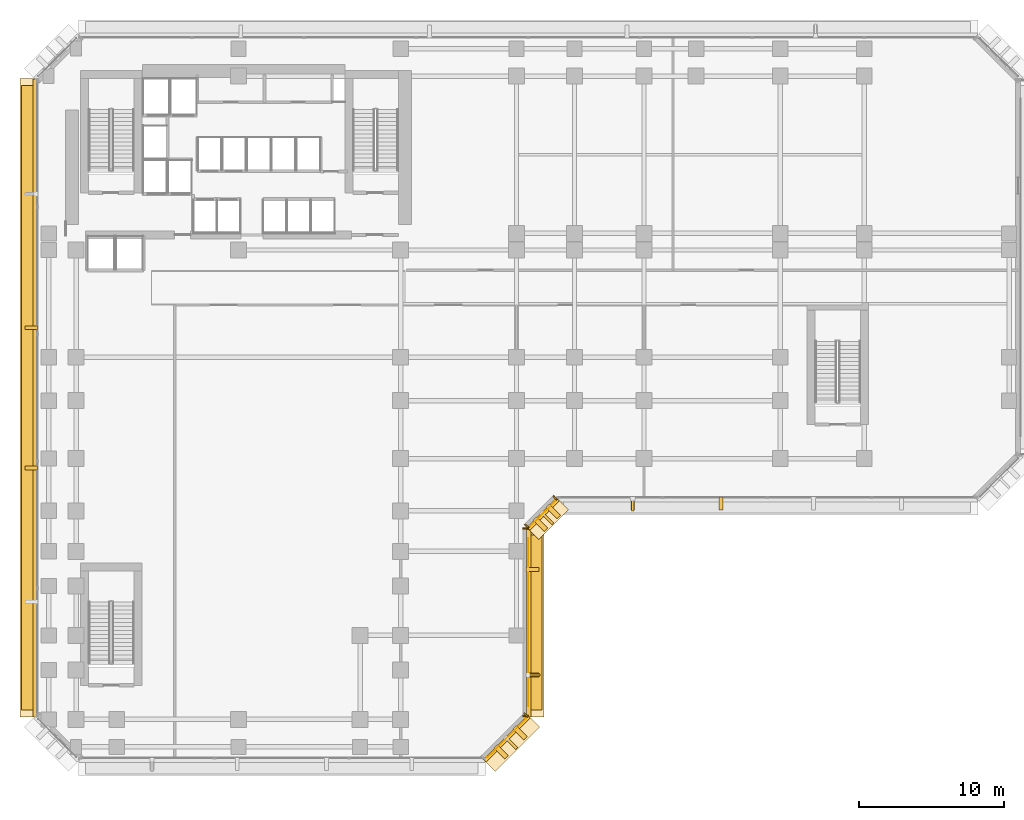
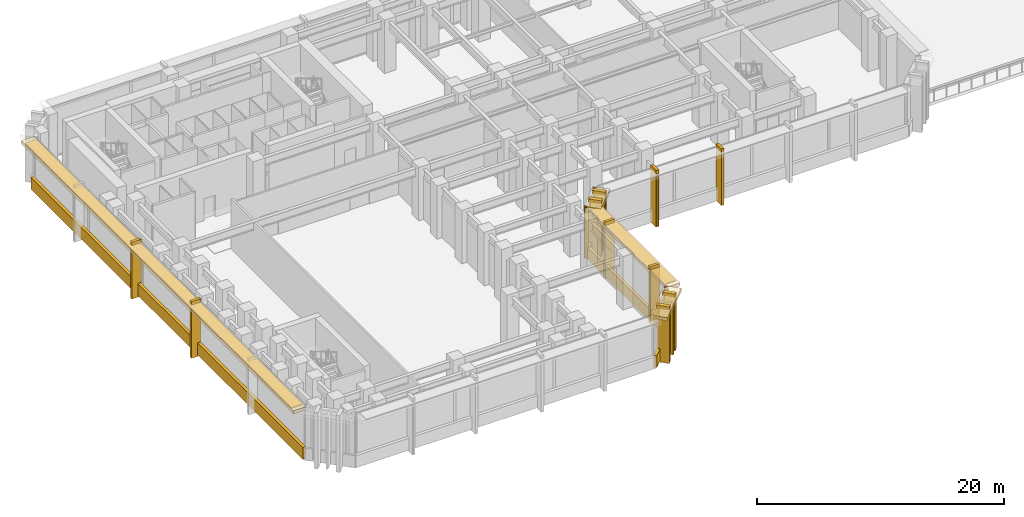
# One storey, part 11 of 16: 26 coverings, 6 shading devices.
"""IFC4 building model written with IfcOpenShell, lengths in metres."""

from ifc_helpers import new_model, si_unit, direction, frame, origin, origin_2d, place, context, subcontext, project, spatial, rectangle, extrude, material, layer, layer_set, material_profile, profile_set, type_object, element, save


model = new_model("IFC4")

# Units and contexts
model_context = context("Model", 3, precision=1e-05, world=origin(), true_north=direction((0.0, 1.0)))
body_context = subcontext(model_context, "Body", "Model", "MODEL_VIEW")
ifc_project = project(units=[si_unit("LENGTHUNIT", "METRE"), si_unit("AREAUNIT", "SQUARE_METRE"), si_unit("VOLUMEUNIT", "CUBIC_METRE"), si_unit("PLANEANGLEUNIT", "RADIAN"), si_unit("MASSUNIT", "GRAM", prefix="KILO")], contexts=[model_context])

# Site, building, storey
site_placement = place(None, origin())
site = spatial("IfcSite", under=ifc_project, at=site_placement, CompositionType="ELEMENT")
building_placement = place(site_placement, origin())
building = spatial("IfcBuilding", under=site, at=building_placement, Name="Kefirva Bronze Tower", CompositionType="ELEMENT")
storey_placement = place(building_placement, frame((0.0, 0.0, 11.219970703125)))
storey = spatial("IfcBuildingStorey", under=building, at=storey_placement, Name="L02", CompositionType="ELEMENT", Elevation=11.219970703125)

# Coverings
ifc_material = material(Name="Bronze anodised aluminium", Category="aluminium")
ifc_layer_1 = layer(ifc_material, 0.02001953125, Name="Bronze anodised aluminium")
ifc_layer_set_1 = layer_set([ifc_layer_1], Name="Bronze anodised aluminium")
covering_type_1 = type_object("IfcCoveringType", Name="Anodised Bronze Spandrel Cladding 20mm", PredefinedType="CLADDING", material=ifc_layer_set_1)
covering_1_placement = place(storey_placement, frame((30.507080078125, -0.507080078125, 4.5400390625), z_axis=(0.0, 0.0, 1.0), x_axis=(0.707106781187, 0.707106781187, 0.0)))
element("IfcCovering", 1, at=covering_1_placement, inside=storey, type_object=covering_type_1, Name="L02 Bronze Spandrel Cladding 1", PredefinedType="CLADDING", context=body_context, shape_type="SweptSolid", body=[
    extrude(rectangle(XDim=3.719482421875, YDim=0.02001953125, at=origin_2d()), origin(), (0.0, 0.0, 1.0), 0.39990234375),
])
covering_2_placement = place(storey_placement, frame((31.847900390625, 1.1025390625, 0.0), z_axis=(0.0, 0.0, 1.0), x_axis=(0.707106781187, 0.707106781187, 0.0)))
element("IfcCovering", 2, at=covering_2_placement, inside=storey, type_object=covering_type_1, Name="L02 Facade Joint Closure Panel 1E", PredefinedType="CLADDING", context=body_context, shape_type="SweptSolid", body=[
    extrude(rectangle(XDim=0.10009765625, YDim=0.360107421875, at=origin_2d()), origin(), (0.0, 0.0, 1.0), 4.9599609375),
])
covering_3_placement = place(storey_placement, frame((30.5283203125, -0.5283203125, -0.16015625), z_axis=(0.0, 0.0, 1.0), x_axis=(0.707106781187, 0.707106781187, 0.0)))
element("IfcCovering", 3, at=covering_3_placement, inside=storey, type_object=covering_type_1, Name="L02 Streamline Horizontal Spandrel Band 1", PredefinedType="CLADDING", context=body_context, shape_type="SweptSolid", body=[
    extrude(rectangle(XDim=4.28271484375, YDim=0.280029296875, at=origin_2d()), origin(), (0.0, 0.0, 1.0), 1.179931640625),
])
covering_4_placement = place(storey_placement, frame((32.010009765625, 7.5, 4.5400390625), z_axis=(0.0, 0.0, 1.0), x_axis=(0.0, 1.0, 0.0)))
element("IfcCovering", 4, at=covering_4_placement, inside=storey, type_object=covering_type_1, Name="L02 Bronze Spandrel Cladding 2", PredefinedType="CLADDING", context=body_context, shape_type="SweptSolid", body=[
    extrude(rectangle(XDim=11.60107421875, YDim=0.02001953125, at=origin_2d()), origin(), (0.0, 0.0, 1.0), 0.39990234375),
])
for number, where, z_axis, x_axis, name in (
    (5, (31.820068359375, 1.034912109375, 0.0), (0.0, 0.0, 1.0), (0.0, 1.0, 0.0), "L02 Facade Joint Closure Panel 2S"),
    (6, (31.820068359375, 13.965087890625, 0.0), (0.0, 0.0, 1.0), (0.0, 1.0, 0.0), "L02 Facade Joint Closure Panel 2E"),
):
    element("IfcCovering", number, at=place(storey_placement, frame(where, z_axis=z_axis, x_axis=x_axis)), inside=storey, type_object=covering_type_1, Name=name, PredefinedType="CLADDING", context=body_context, shape_type="SweptSolid", body=[
        extrude(rectangle(XDim=0.10009765625, YDim=0.360107421875, at=origin_2d()), origin(), (0.0, 0.0, 1.0), 4.9599609375),
    ])
covering_5_placement = place(storey_placement, frame((32.0400390625, 7.5, -0.16015625), z_axis=(0.0, 0.0, 1.0), x_axis=(0.0, 1.0, 0.0)))
element("IfcCovering", 7, at=covering_5_placement, inside=storey, type_object=covering_type_1, Name="L02 Streamline Horizontal Spandrel Band 2", PredefinedType="CLADDING", context=body_context, shape_type="SweptSolid", body=[
    extrude(rectangle(XDim=13.0400390625, YDim=0.280029296875, at=origin_2d()), origin(), (0.0, 0.0, 1.0), 1.179931640625),
])
covering_6_placement = place(storey_placement, frame((33.007080078125, 14.992919921875, 4.5400390625), z_axis=(0.0, 0.0, 1.0), x_axis=(0.707106781187, 0.707106781187, 0.0)))
element("IfcCovering", 8, at=covering_6_placement, inside=storey, type_object=covering_type_1, Name="L02 Bronze Spandrel Cladding 3", PredefinedType="CLADDING", context=body_context, shape_type="SweptSolid", body=[
    extrude(rectangle(XDim=2.446533203125, YDim=0.02001953125, at=origin_2d()), origin(), (0.0, 0.0, 1.0), 0.39990234375),
])
for number, where, z_axis, x_axis, name in (
    (9, (31.8974609375, 14.152099609375, 0.0), (0.0, 0.0, 1.0), (0.707106781187, 0.707106781187, 0.0), "L02 Facade Joint Closure Panel 3S"),
    (10, (33.847900390625, 16.1025390625, 0.0), (0.0, 0.0, 1.0), (0.707106781187, 0.707106781187, 0.0), "L02 Facade Joint Closure Panel 3E"),
):
    element("IfcCovering", number, at=place(storey_placement, frame(where, z_axis=z_axis, x_axis=x_axis)), inside=storey, type_object=covering_type_1, Name=name, PredefinedType="CLADDING", context=body_context, shape_type="SweptSolid", body=[
        extrude(rectangle(XDim=0.10009765625, YDim=0.360107421875, at=origin_2d()), origin(), (0.0, 0.0, 1.0), 4.9599609375),
    ])
covering_7_placement = place(storey_placement, frame((33.0283203125, 14.9716796875, -0.16015625), z_axis=(0.0, 0.0, 1.0), x_axis=(0.707106781187, 0.707106781187, 0.0)))
element("IfcCovering", 11, at=covering_7_placement, inside=storey, type_object=covering_type_1, Name="L02 Streamline Horizontal Spandrel Band 3", PredefinedType="CLADDING", context=body_context, shape_type="SweptSolid", body=[
    extrude(rectangle(XDim=2.868408203125, YDim=0.280029296875, at=origin_2d()), origin(), (0.0, 0.0, 1.0), 1.179931640625),
])
covering_8_placement = place(storey_placement, frame((-2.0400390625, 23.0, -0.16015625), z_axis=(0.0, 0.0, 1.0), x_axis=(0.0, -1.0, 0.0)))
element("IfcCovering", 12, at=covering_8_placement, inside=storey, type_object=covering_type_1, Name="L02 Streamline Horizontal Spandrel Band 10", PredefinedType="CLADDING", context=body_context, shape_type="SweptSolid", body=[
    extrude(rectangle(XDim=44.0400390625, YDim=0.280029296875, at=origin_2d()), origin(), (0.0, 0.0, 1.0), 1.179931640625),
])

# Shading devices
ifc_material_profile_1 = material_profile(ifc_material, rectangle(XDim=0.179931640625, YDim=1.080078125, at=origin_2d()), Name="BRONZE BUTTRESS FIN 180x1080")
ifc_profile_set_1 = profile_set([ifc_material_profile_1], Name="Bronze anodised aluminium")
shading_device_type_1 = type_object("IfcShadingDeviceType", Name="Chamfered Corner Buttress Bronze Fin 1080mm", PredefinedType="USERDEFINED", material=ifc_profile_set_1)
for number, where, z_axis, x_axis, name in (
    (13, (30.8251953125, -0.8251953125, -0.139892578125), (0.0, 0.0, 1.0), (0.707106781187, 0.707106781187, 0.0), "L02 Chamfered Corner Buttress Fin 6"),
    (14, (33.3251953125, 14.6748046875, -0.139892578125), (0.0, 0.0, 1.0), (0.707106781187, 0.707106781187, 0.0), "L02 Chamfered Corner Buttress Fin 10"),
):
    element("IfcShadingDevice", number, at=place(storey_placement, frame(where, z_axis=z_axis, x_axis=x_axis)), inside=storey, type_object=shading_device_type_1, Name=name, ObjectType="VERTICAL FIN", PredefinedType="USERDEFINED", context=body_context, shape_type="SweptSolid", body=[
        extrude(rectangle(XDim=0.179931640625, YDim=1.080078125, at=origin_2d()), origin(), (0.0, 0.0, 1.0), 5.099853515625),
    ])
ifc_layer_2 = layer(ifc_material, 0.1201171875, Name="Bronze anodised aluminium")
ifc_layer_set_2 = layer_set([ifc_layer_2], Name="Bronze anodised aluminium")
shading_device_type_2 = type_object("IfcShadingDeviceType", Name="Podium Deep Bronze Canopy Sunshade 1050mm", PredefinedType="JALOUSIE", material=ifc_layer_set_2)
shading_device_1_placement = place(storey_placement, frame((32.445068359375, 7.5, 4.85498046875), z_axis=(0.0, 0.0, 1.0), x_axis=(0.0, 1.0, 0.0)))
element("IfcShadingDevice", 15, at=shading_device_1_placement, inside=storey, type_object=shading_device_type_2, Name="L02 Horizontal Bronze Sunshade Band 2", PredefinedType="JALOUSIE", context=body_context, shape_type="SweptSolid", body=[
    extrude(rectangle(XDim=12.090087890625, YDim=1.050048828125, at=origin_2d()), origin(), (0.0, 0.0, 1.0), 0.090087890625),
])
shading_device_2_placement = place(storey_placement, frame((-2.445068359375, 23.0, 4.85498046875), z_axis=(0.0, 0.0, 1.0), x_axis=(0.0, -1.0, 0.0)))
element("IfcShadingDevice", 16, at=shading_device_2_placement, inside=storey, type_object=shading_device_type_2, Name="L02 Horizontal Bronze Sunshade Band 10", PredefinedType="JALOUSIE", context=body_context, shape_type="SweptSolid", body=[
    extrude(rectangle(XDim=43.090087890625, YDim=1.050048828125, at=origin_2d()), origin(), (0.0, 0.0, 1.0), 0.090087890625),
])

# Coverings
ifc_layer_3 = layer(ifc_material, 0.179931640625, Name="Bronze anodised aluminium")
ifc_layer_set_3 = layer_set([ifc_layer_3], Name="Bronze anodised aluminium")
covering_type_2 = type_object("IfcCoveringType", Name="Streamline Bronze Sunshade Eyebrow Cladding 180mm", PredefinedType="CLADDING", material=ifc_layer_set_3)
covering_9_placement = place(storey_placement, frame((30.8251953125, -0.8251953125, 4.64013671875), z_axis=(0.0, 0.0, 1.0), x_axis=(0.707106781187, 0.707106781187, 0.0)))
element("IfcCovering", 17, at=covering_9_placement, inside=storey, type_object=covering_type_2, Name="L02 Streamline Bronze Sunshade Eyebrow 1", PredefinedType="CLADDING", context=body_context, shape_type="SweptSolid", body=[
    extrude(rectangle(XDim=4.322509765625, YDim=1.239990234375, at=origin_2d()), origin(), (0.0, 0.0, 1.0), 0.320068359375),
])
covering_10_placement = place(storey_placement, frame((32.4599609375, 7.5, 4.64013671875), z_axis=(0.0, 0.0, 1.0), x_axis=(0.0, 1.0, 0.0)))
element("IfcCovering", 18, at=covering_10_placement, inside=storey, type_object=covering_type_2, Name="L02 Streamline Bronze Sunshade Eyebrow 2", PredefinedType="CLADDING", context=body_context, shape_type="SweptSolid", body=[
    extrude(rectangle(XDim=13.080078125, YDim=1.239990234375, at=origin_2d()), origin(), (0.0, 0.0, 1.0), 0.320068359375),
])
covering_11_placement = place(storey_placement, frame((33.3251953125, 14.6748046875, 4.64013671875), z_axis=(0.0, 0.0, 1.0), x_axis=(0.707106781187, 0.707106781187, 0.0)))
element("IfcCovering", 19, at=covering_11_placement, inside=storey, type_object=covering_type_2, Name="L02 Streamline Bronze Sunshade Eyebrow 3", PredefinedType="CLADDING", context=body_context, shape_type="SweptSolid", body=[
    extrude(rectangle(XDim=2.908447265625, YDim=1.239990234375, at=origin_2d()), origin(), (0.0, 0.0, 1.0), 0.320068359375),
])
covering_12_placement = place(storey_placement, frame((-2.4599609375, 23.0, 4.64013671875), z_axis=(0.0, 0.0, 1.0), x_axis=(0.0, -1.0, 0.0)))
element("IfcCovering", 20, at=covering_12_placement, inside=storey, type_object=covering_type_2, Name="L02 Streamline Bronze Sunshade Eyebrow 10", PredefinedType="CLADDING", context=body_context, shape_type="SweptSolid", body=[
    extrude(rectangle(XDim=44.080078125, YDim=1.239990234375, at=origin_2d()), origin(), (0.0, 0.0, 1.0), 0.320068359375),
])
ifc_layer_4 = layer(ifc_material, 0.260009765625, Name="Bronze anodised aluminium")
ifc_layer_set_4 = layer_set([ifc_layer_4], Name="Bronze anodised aluminium")
covering_type_3 = type_object("IfcCoveringType", Name="Unbroken Bronze Buttress Fin Cladding 260mm", PredefinedType="CLADDING", material=ifc_layer_set_4)
for number, where, z_axis, x_axis, name in (
    (21, (30.122802734375, -1.44287109375, -0.320068359375), (0.0, 0.0, 1.0), (0.707106781187, 0.707106781187, 0.0), "L02 Chamfered Corner Buttress Fin Cladding 5"),
    (22, (31.44287109375, -0.122802734375, -0.320068359375), (0.0, 0.0, 1.0), (0.707106781187, 0.707106781187, 0.0), "L02 Chamfered Corner Buttress Fin Cladding 6"),
):
    element("IfcCovering", number, at=place(storey_placement, frame(where, z_axis=z_axis, x_axis=x_axis)), inside=storey, type_object=covering_type_3, Name=name, PredefinedType="CLADDING", context=body_context, shape_type="SweptSolid", body=[
        extrude(rectangle(XDim=0.340087890625, YDim=1.080078125, at=origin_2d()), origin(), (0.0, 0.0, 1.0), 5.60009765625),
    ])
for number, where, z_axis, x_axis, name in (
    (23, (32.300048828125, 3.860107421875, -0.320068359375), (0.0, 0.0, 1.0), (0.0, 1.0, 0.0), "L02 Unbroken Vertical Bronze Rib Fin 7"),
    (24, (32.300048828125, 11.139892578125, -0.320068359375), (0.0, 0.0, 1.0), (0.0, 1.0, 0.0), "L02 Unbroken Vertical Bronze Rib Fin 8"),
):
    element("IfcCovering", number, at=place(storey_placement, frame(where, z_axis=z_axis, x_axis=x_axis)), inside=storey, type_object=covering_type_3, Name=name, PredefinedType="CLADDING", context=body_context, shape_type="SweptSolid", body=[
        extrude(rectangle(XDim=0.260009765625, YDim=0.8798828125, at=origin_2d()), origin(), (0.0, 0.0, 1.0), 5.60009765625),
    ])
for number, where, z_axis, x_axis, name in (
    (25, (32.8427734375, 14.277099609375, -0.320068359375), (0.0, 0.0, 1.0), (0.707106781187, 0.707106781187, 0.0), "L02 Chamfered Corner Buttress Fin Cladding 9"),
    (26, (33.722900390625, 15.1572265625, -0.320068359375), (0.0, 0.0, 1.0), (0.707106781187, 0.707106781187, 0.0), "L02 Chamfered Corner Buttress Fin Cladding 10"),
):
    element("IfcCovering", number, at=place(storey_placement, frame(where, z_axis=z_axis, x_axis=x_axis)), inside=storey, type_object=covering_type_3, Name=name, PredefinedType="CLADDING", context=body_context, shape_type="SweptSolid", body=[
        extrude(rectangle(XDim=0.340087890625, YDim=1.080078125, at=origin_2d()), origin(), (0.0, 0.0, 1.0), 5.60009765625),
    ])
for number, where, z_axis, x_axis, name in (
    (27, (39.219970703125, 15.699951171875, -0.320068359375), (0.0, 0.0, 1.0), (1.0, 0.0, 0.0), "L02 Unbroken Vertical Bronze Rib Fin 11"),
    (28, (45.31005859375, 15.699951171875, -0.320068359375), (0.0, 0.0, 1.0), (1.0, 0.0, 0.0), "L02 Unbroken Vertical Bronze Rib Fin 12"),
    (29, (-2.300048828125, 27.840087890625, -0.320068359375), (0.0, 0.0, 1.0), (0.0, -1.0, 0.0), "L02 Unbroken Vertical Bronze Rib Fin 26"),
    (30, (-2.300048828125, 18.159912109375, -0.320068359375), (0.0, 0.0, 1.0), (0.0, -1.0, 0.0), "L02 Unbroken Vertical Bronze Rib Fin 27"),
):
    element("IfcCovering", number, at=place(storey_placement, frame(where, z_axis=z_axis, x_axis=x_axis)), inside=storey, type_object=covering_type_3, Name=name, PredefinedType="CLADDING", context=body_context, shape_type="SweptSolid", body=[
        extrude(rectangle(XDim=0.260009765625, YDim=0.8798828125, at=origin_2d()), origin(), (0.0, 0.0, 1.0), 5.60009765625),
    ])

# Shading devices
ifc_material_profile_2 = material_profile(ifc_material, rectangle(XDim=0.139892578125, YDim=0.8798828125, at=origin_2d()), Name="BRONZE FIN 140x880")
ifc_profile_set_2 = profile_set([ifc_material_profile_2], Name="Bronze anodised aluminium")
shading_device_type_3 = type_object("IfcShadingDeviceType", Name="Unbroken Vertical Bronze Facade Fin 880mm", PredefinedType="USERDEFINED", material=ifc_profile_set_2)
for number, where, z_axis, x_axis, name in (
    (31, (32.360107421875, 3.860107421875, -0.139892578125), (0.0, 0.0, 1.0), (0.0, 1.0, 0.0), "L02 Vertical Bronze Rib Fin 7"),
    (32, (39.219970703125, 15.639892578125, -0.139892578125), (0.0, 0.0, 1.0), (1.0, 0.0, 0.0), "L02 Vertical Bronze Rib Fin 11"),
):
    element("IfcShadingDevice", number, at=place(storey_placement, frame(where, z_axis=z_axis, x_axis=x_axis)), inside=storey, type_object=shading_device_type_3, Name=name, ObjectType="VERTICAL FIN", PredefinedType="USERDEFINED", context=body_context, shape_type="SweptSolid", body=[
        extrude(rectangle(XDim=0.139892578125, YDim=0.8798828125, at=origin_2d()), origin(), (0.0, 0.0, 1.0), 5.099853515625),
    ])

save(model, "model.ifc")
